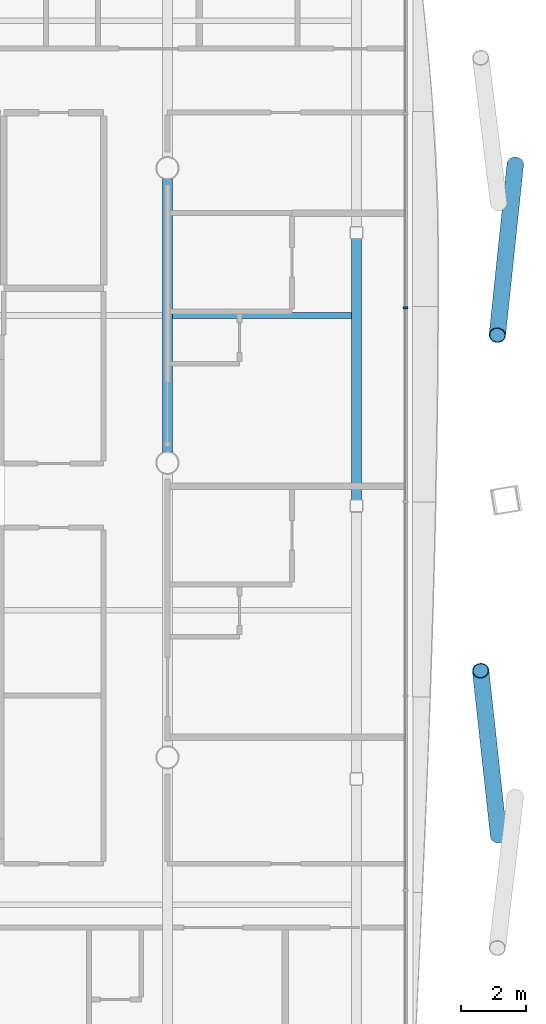
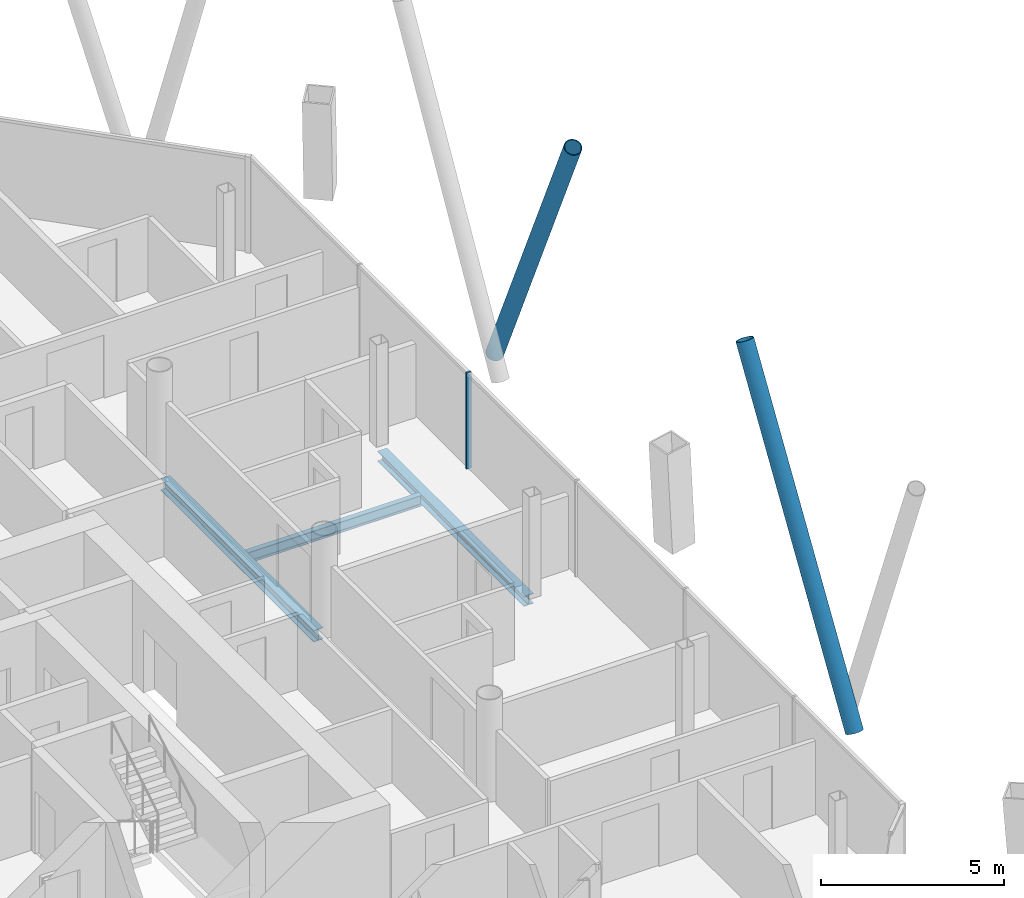
# One storey, part 8 of 23: 3 beams, 3 members, 1 element without a shape of its own.
"""IFC4 building model written with IfcOpenShell, lengths in metres."""

from ifc_helpers import new_model, si_unit, direction, frame, origin, origin_2d, place, context, subcontext, project, spatial, rectangle, hollow_circle, i_section, extrude, material, material_profile, profile_set, type_object, element, aggregate, save


model = new_model("IFC4")

# Units and contexts
model_context = context("Model", 3, precision=1e-05, world=origin(), true_north=direction((0.0, 1.0)))
body_context = subcontext(model_context, "Body", "Model", "MODEL_VIEW")
ifc_project = project(units=[si_unit("LENGTHUNIT", "METRE"), si_unit("AREAUNIT", "SQUARE_METRE"), si_unit("VOLUMEUNIT", "CUBIC_METRE"), si_unit("PLANEANGLEUNIT", "RADIAN"), si_unit("MASSUNIT", "GRAM", prefix="KILO")], contexts=[model_context])

# Site, building, storey
site_placement = place(None, origin())
site = spatial("IfcSite", under=ifc_project, at=site_placement, CompositionType="ELEMENT")
building_placement = place(site_placement, origin())
building = spatial("IfcBuilding", under=site, at=building_placement, Name="Tskaro Facet Tower", CompositionType="ELEMENT")
storey_placement = place(building_placement, frame((0.0, 0.0, 141.89990234375)))
storey = spatial("IfcBuildingStorey", under=building, at=storey_placement, Name="L34", CompositionType="ELEMENT", Elevation=141.89990234375)

# Members
ifc_material_1 = material(Name="Steel S355J2H", Category="steel")
ifc_material_profile_1 = material_profile(ifc_material_1, hollow_circle(Radius=0.25390625, WallThickness=0.02490234375, at=origin_2d()), Name="CHS 508x25")
ifc_profile_set_1 = profile_set([ifc_material_profile_1], Name="Steel S355J2H")
member_type_1 = type_object("IfcMemberType", Name="CHS 508x25 brace", PredefinedType="BRACE", material=ifc_profile_set_1)
member_1_placement = place(storey_placement, frame((28.117431640625, -11.383544921875, 0.0), z_axis=(-0.048087215587, 0.442025060624, 0.89571282534), x_axis=(-0.99413454978, -0.108150344124, 0.0)))
element("IfcMember", 1, at=member_1_placement, inside=storey, type_object=member_type_1, Name="CHS 508x25 XB04A/3", PredefinedType="BRACE", context=body_context, shape_type="SweptSolid", body=[
    extrude(hollow_circle(Radius=0.25390625, WallThickness=0.02490234375, at=origin_2d()), origin(), (0.0, 0.0, 1.0), 11.3876953125),
])
member_2_placement = place(storey_placement, frame((28.62548828125, 9.111083984375, 0.0), z_axis=(-0.047770205902, -0.454604610984, 0.88941140936), x_axis=(0.994524320337, -0.10450538866, 0.0)))
element("IfcMember", 2, at=member_2_placement, inside=storey, type_object=member_type_1, Name="CHS 508x25 XB05B/3", PredefinedType="BRACE", context=body_context, shape_type="SweptSolid", body=[
    extrude(hollow_circle(Radius=0.25390625, WallThickness=0.02490234375, at=origin_2d()), origin(), (0.0, 0.0, 1.0), 11.468505859375),
])

# Curtain wall, member
ifc_material_2 = material(Name="Bronze anodised aluminium 6063-T6", Category="aluminium")
curtain_wall_type = type_object("IfcCurtainWallType", Name="Bronze hotel curtain wall (FW2)", PredefinedType="NOTDEFINED", material=ifc_material_2)
curtain_wall_placement = place(storey_placement, origin())
curtain_wall = element("IfcCurtainWall", 3, at=curtain_wall_placement, inside=storey, type_object=curtain_wall_type, Name="FW2 east facet L34", PredefinedType="NOTDEFINED")
ifc_material_profile_2 = material_profile(ifc_material_2, rectangle(XDim=0.06005859375, YDim=0.14990234375, at=origin_2d()), Name="Mullion 60x150")
ifc_profile_set_2 = profile_set([ifc_material_profile_2], Name="Bronze anodised aluminium 6063-T6")
member_type_2 = type_object("IfcMemberType", Name="FW2 bronze mullion 60x150", PredefinedType="MULLION", material=ifc_profile_set_2)
member_3_placement = place(storey_placement, frame((25.27197265625, 4.733642578125, 0.0), z_axis=(0.0, 0.0, 1.0), x_axis=(0.0, 1.0, 0.0)))
member_3 = element("IfcMember", 4, at=member_3_placement, type_object=member_type_2, Name="FW2 east mullion 4", PredefinedType="MULLION", context=body_context, shape_type="SweptSolid", body=[
    extrude(rectangle(XDim=0.06005859375, YDim=0.14990234375, at=origin_2d()), origin(), (0.0, 0.0, 1.0), 3.2001953125),
])
aggregate(curtain_wall, [member_3])

# Beams
ifc_material_3 = material(Name="Steel S355J2", Category="steel")
ifc_material_profile_3 = material_profile(ifc_material_3, i_section(OverallWidth=0.300048828125, OverallDepth=0.340087890625, WebThickness=0.011962890625, FlangeThickness=0.021484375, FilletRadius=0.027099609375, at=origin_2d()), Name="HE 340 B")
ifc_profile_set_3 = profile_set([ifc_material_profile_3], Name="Steel S355J2")
beam_type_1 = type_object("IfcBeamType", Name="HE 340 B ring beam", PredefinedType="BEAM", material=ifc_profile_set_3)
beam_1_placement = place(storey_placement, frame((23.77392578125, -1.135986328125, -0.309814453125), z_axis=(0.0, 1.0, 0.0), x_axis=(-1.0, 0.0, 0.0)))
element("IfcBeam", 5, at=beam_1_placement, inside=storey, type_object=beam_type_1, Name="HE 340 B EB8-3", PredefinedType="BEAM", context=body_context, shape_type="SweptSolid", body=[
    extrude(i_section(OverallWidth=0.300048828125, OverallDepth=0.340087890625, WebThickness=0.011962890625, FlangeThickness=0.021484375, FilletRadius=0.027099609375, at=origin_2d()), origin(), (0.0, 0.0, 1.0), 7.98193359375),
])
ifc_material_profile_4 = material_profile(ifc_material_3, i_section(OverallWidth=0.300048828125, OverallDepth=0.389892578125, WebThickness=0.010986328125, FlangeThickness=0.01904296875, FilletRadius=0.027099609375, at=origin_2d()), Name="HE 400 A")
ifc_profile_set_4 = profile_set([ifc_material_profile_4], Name="Steel S355J2")
beam_type_2 = type_object("IfcBeamType", Name="HE 400 A girder", PredefinedType="BEAM", material=ifc_profile_set_4)
beam_2_placement = place(storey_placement, frame((18.0, 0.325439453125, -0.3349609375), z_axis=(0.0, 1.0, 0.0), x_axis=(-1.0, 0.0, 0.0)))
element("IfcBeam", 6, at=beam_2_placement, inside=storey, type_object=beam_type_2, Name="HE 400 A GB6-3-3", PredefinedType="BEAM", context=body_context, shape_type="SweptSolid", body=[
    extrude(i_section(OverallWidth=0.300048828125, OverallDepth=0.389892578125, WebThickness=0.010986328125, FlangeThickness=0.01904296875, FilletRadius=0.027099609375, at=origin_2d()), origin(), (0.0, 0.0, 1.0), 8.34912109375),
])
ifc_material_profile_5 = material_profile(ifc_material_3, i_section(OverallWidth=0.169921875, OverallDepth=0.360107421875, WebThickness=0.008056640625, FlangeThickness=0.0126953125, FilletRadius=0.01806640625, at=origin_2d()), Name="IPE 360")
ifc_profile_set_5 = profile_set([ifc_material_profile_5], Name="Steel S355J2")
beam_type_3 = type_object("IfcBeamType", Name="IPE 360 secondary beam", PredefinedType="BEAM", material=ifc_profile_set_5)
beam_3_placement = place(storey_placement, frame((18.14990234375, 4.5, -0.31982421875), z_axis=(1.0, 0.0, 0.0), x_axis=(0.0, 1.0, 0.0)))
element("IfcBeam", 7, at=beam_3_placement, inside=storey, type_object=beam_type_3, Name="IPE 360 SB4a-5-3", PredefinedType="BEAM", context=body_context, shape_type="SweptSolid", body=[
    extrude(i_section(OverallWidth=0.169921875, OverallDepth=0.360107421875, WebThickness=0.008056640625, FlangeThickness=0.0126953125, FilletRadius=0.01806640625, at=origin_2d()), origin(), (0.0, 0.0, 1.0), 5.47412109375),
])

save(model, "model.ifc")
